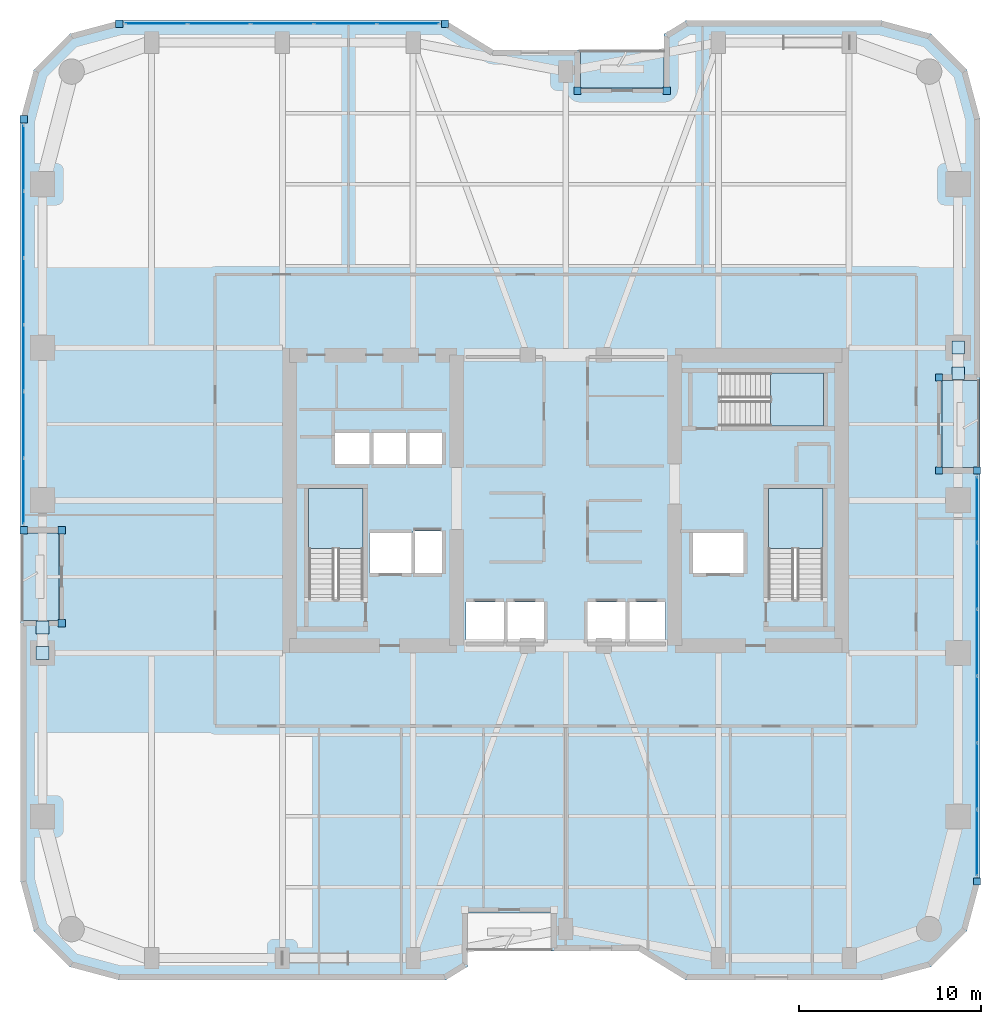
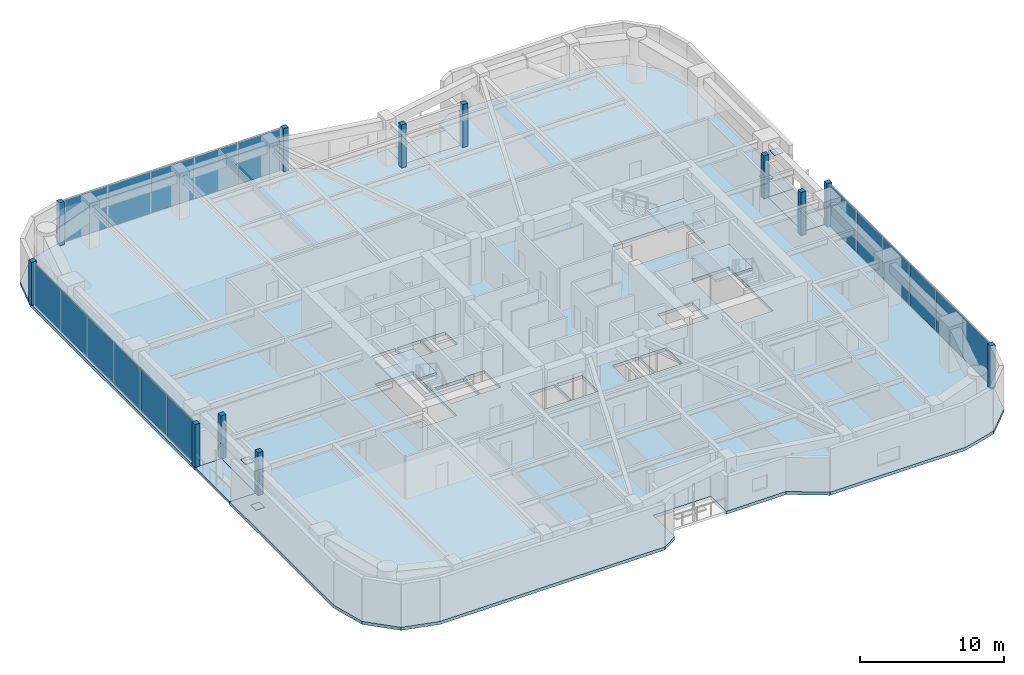
# One storey, part 16 of 24: 33 plates, 7 slabs, 6 elements without a shape of their own.
"""IFC4 building model written with IfcOpenShell, lengths in metres."""

from ifc_helpers import new_model, si_unit, direction, frame, origin, origin_2d, place, context, subcontext, project, spatial, polyline, rectangle, outline, extrude, material, layer, layer_set, type_object, element, aggregate, save


model = new_model("IFC4")

# Units and contexts
model_context = context("Model", 3, precision=1e-05, world=origin(), true_north=direction((0.0, 1.0)))
body_context = subcontext(model_context, "Body", "Model", "MODEL_VIEW")
ifc_project = project(units=[si_unit("LENGTHUNIT", "METRE"), si_unit("AREAUNIT", "SQUARE_METRE"), si_unit("VOLUMEUNIT", "CUBIC_METRE"), si_unit("PLANEANGLEUNIT", "RADIAN"), si_unit("MASSUNIT", "GRAM", prefix="KILO")], contexts=[model_context])

# Site, building, storey
site_placement = place(None, origin())
site = spatial("IfcSite", under=ifc_project, at=site_placement, CompositionType="ELEMENT")
building_placement = place(site_placement, origin())
building = spatial("IfcBuilding", under=site, at=building_placement, Name="Kiyonajd Concourse Tower", CompositionType="ELEMENT")
storey_placement = place(building_placement, frame((0.0, 0.0, 117.0)))
storey = spatial("IfcBuildingStorey", under=building, at=storey_placement, Name="L30", CompositionType="ELEMENT", Elevation=117.0)

# Plates
ifc_material_1 = material(Name="Steel ASTM A572 Grade 50", Category="steel")
ifc_layer_1 = layer(ifc_material_1, 0.028076171875)
ifc_layer_set_1 = layer_set([ifc_layer_1], Name="Steel ASTM A572 Grade 50")
plate_type_1 = type_object("IfcPlateType", Name="PL-CAP-450", PredefinedType="USERDEFINED", material=ifc_layer_set_1)
for number, where, z_axis, x_axis, name in (
    (1, (19.199951171875, 27.59521484375, 0.27587890625), (0.0, 0.0, 1.0), (1.0, 0.0, 0.0), "L30 Hollow Brace End Cap Plate PBW"),
    (2, (19.199951171875, 29.004638671875, 3.2861328125), (0.0, 0.0, 1.0), (1.0, 0.0, 0.0), "L30 Hollow Brace Top Cap Plate PBW"),
    (3, (69.60009765625, 44.40478515625, 0.27587890625), (0.0, 0.0, 1.0), (1.0, 0.0, 0.0), "L30 Hollow Brace End Cap Plate PBE"),
    (4, (69.60009765625, 42.995361328125, 3.2861328125), (0.0, 0.0, 1.0), (1.0, 0.0, 0.0), "L30 Hollow Brace Top Cap Plate PBE"),
):
    element("IfcPlate", number, at=place(storey_placement, frame(where, z_axis=z_axis, x_axis=x_axis)), inside=storey, type_object=plate_type_1, Name=name, ObjectType="CAP PLATE", PredefinedType="USERDEFINED", context=body_context, shape_type="SweptSolid", body=[
        extrude(rectangle(XDim=0.7099609375, YDim=0.7099609375, at=origin_2d()), origin(), (0.0, 0.0, 1.0), 0.028076171875),
    ])

# Curtain wall, plates
ifc_material_2 = material(Name="Thermally Broken Anodised Aluminium", Category="aluminium")
ifc_layer_2 = layer(ifc_material_2, 0.179931640625)
ifc_layer_set_2 = layer_set([ifc_layer_2], Name="Thermally Broken Anodised Aluminium")
curtain_wall_type = type_object("IfcCurtainWallType", Name="CW-SYS-03", PredefinedType="NOTDEFINED", material=ifc_layer_set_2)
curtain_wall_1_placement = place(storey_placement, origin())
curtain_wall_1 = element("IfcCurtainWall", 5, at=curtain_wall_1_placement, inside=storey, type_object=curtain_wall_type, Name="L30 Unitised Curtain Wall CW3", PredefinedType="NOTDEFINED")
ifc_material_3 = material(Name="Double Low-E Insulated Glass", Category="glass")
ifc_layer_3 = layer(ifc_material_3, 0.033935546875)
ifc_layer_set_3 = layer_set([ifc_layer_3], Name="Double Low-E Insulated Glass")
plate_type_2 = type_object("IfcPlateType", Name="PL-CW-VIS34", PredefinedType="CURTAIN_PANEL", material=ifc_layer_set_3)
plate_1_placement = place(storey_placement, frame((18.159912109375, 36.5029296875, 0.06494140625), z_axis=(0.0, 0.0, 1.0), x_axis=(0.0, 1.0, 0.0)))
plate_1 = element("IfcPlate", 6, at=plate_1_placement, type_object=plate_type_2, Name="CW3 panel 1.1", PredefinedType="CURTAIN_PANEL", context=body_context, shape_type="SweptSolid", body=[
    extrude(rectangle(XDim=3.57568359375, YDim=0.033935546875, at=origin_2d()), origin(), (0.0, 0.0, 1.0), 3.510009765625),
])
plate_2_placement = place(storey_placement, frame((18.159912109375, 40.15966796875, 0.06494140625), z_axis=(0.0, 0.0, 1.0), x_axis=(0.0, 1.0, 0.0)))
plate_2 = element("IfcPlate", 7, at=plate_2_placement, type_object=plate_type_2, Name="CW3 panel 2.1", PredefinedType="CURTAIN_PANEL", context=body_context, shape_type="SweptSolid", body=[
    extrude(rectangle(XDim=3.608154296875, YDim=0.033935546875, at=origin_2d()), origin(), (0.0, 0.0, 1.0), 3.510009765625),
])
plate_3_placement = place(storey_placement, frame((18.159912109375, 43.832763671875, 0.06494140625), z_axis=(0.0, 0.0, 1.0), x_axis=(0.0, 1.0, 0.0)))
plate_3 = element("IfcPlate", 8, at=plate_3_placement, type_object=plate_type_2, Name="CW3 panel 3.1", PredefinedType="CURTAIN_PANEL", context=body_context, shape_type="SweptSolid", body=[
    extrude(rectangle(XDim=3.608154296875, YDim=0.033935546875, at=origin_2d()), origin(), (0.0, 0.0, 1.0), 3.510009765625),
])
plate_4_placement = place(storey_placement, frame((18.159912109375, 47.506103515625, 0.06494140625), z_axis=(0.0, 0.0, 1.0), x_axis=(0.0, 1.0, 0.0)))
plate_4 = element("IfcPlate", 9, at=plate_4_placement, type_object=plate_type_2, Name="CW3 panel 4.1", PredefinedType="CURTAIN_PANEL", context=body_context, shape_type="SweptSolid", body=[
    extrude(rectangle(XDim=3.608154296875, YDim=0.033935546875, at=origin_2d()), origin(), (0.0, 0.0, 1.0), 3.510009765625),
])
plate_5_placement = place(storey_placement, frame((18.159912109375, 51.17919921875, 0.06494140625), z_axis=(0.0, 0.0, 1.0), x_axis=(0.0, 1.0, 0.0)))
plate_5 = element("IfcPlate", 10, at=plate_5_placement, type_object=plate_type_2, Name="CW3 panel 5.1", PredefinedType="CURTAIN_PANEL", context=body_context, shape_type="SweptSolid", body=[
    extrude(rectangle(XDim=3.608154296875, YDim=0.033935546875, at=origin_2d()), origin(), (0.0, 0.0, 1.0), 3.510009765625),
])
plate_6_placement = place(storey_placement, frame((18.159912109375, 54.836181640625, 0.06494140625), z_axis=(0.0, 0.0, 1.0), x_axis=(0.0, 1.0, 0.0)))
plate_6 = element("IfcPlate", 11, at=plate_6_placement, type_object=plate_type_2, Name="CW3 panel 6.1", PredefinedType="CURTAIN_PANEL", context=body_context, shape_type="SweptSolid", body=[
    extrude(rectangle(XDim=3.57568359375, YDim=0.033935546875, at=origin_2d()), origin(), (0.0, 0.0, 1.0), 3.510009765625),
])
aggregate(curtain_wall_1, [plate_1, plate_2, plate_3, plate_4, plate_5, plate_6])

curtain_wall_2_placement = place(storey_placement, origin())
curtain_wall_2 = element("IfcCurtainWall", 12, at=curtain_wall_2_placement, inside=storey, type_object=curtain_wall_type, Name="L30 Unitised Curtain Wall CW3", PredefinedType="NOTDEFINED")
plate_7_placement = place(storey_placement, frame((25.462646484375, 62.239990234375, 0.06494140625), z_axis=(0.0, 0.0, 1.0), x_axis=(1.0, 0.0, 0.0)))
plate_7 = element("IfcPlate", 13, at=plate_7_placement, type_object=plate_type_2, Name="CW3 panel 1.1", PredefinedType="CURTAIN_PANEL", context=body_context, shape_type="SweptSolid", body=[
    extrude(rectangle(XDim=3.373291015625, YDim=0.033935546875, at=origin_2d()), origin(), (0.0, 0.0, 1.0), 3.510009765625),
])
plate_8_placement = place(storey_placement, frame((28.917236328125, 62.239990234375, 0.06494140625), z_axis=(0.0, 0.0, 1.0), x_axis=(1.0, 0.0, 0.0)))
plate_8 = element("IfcPlate", 14, at=plate_8_placement, type_object=plate_type_2, Name="CW3 panel 2.1", PredefinedType="CURTAIN_PANEL", context=body_context, shape_type="SweptSolid", body=[
    extrude(rectangle(XDim=3.40576171875, YDim=0.033935546875, at=origin_2d()), origin(), (0.0, 0.0, 1.0), 3.510009765625),
])
plate_9_placement = place(storey_placement, frame((32.387939453125, 62.239990234375, 0.06494140625), z_axis=(0.0, 0.0, 1.0), x_axis=(1.0, 0.0, 0.0)))
plate_9 = element("IfcPlate", 15, at=plate_9_placement, type_object=plate_type_2, Name="CW3 panel 3.1", PredefinedType="CURTAIN_PANEL", context=body_context, shape_type="SweptSolid", body=[
    extrude(rectangle(XDim=3.40576171875, YDim=0.033935546875, at=origin_2d()), origin(), (0.0, 0.0, 1.0), 3.510009765625),
])
plate_10_placement = place(storey_placement, frame((35.858642578125, 62.239990234375, 0.06494140625), z_axis=(0.0, 0.0, 1.0), x_axis=(1.0, 0.0, 0.0)))
plate_10 = element("IfcPlate", 16, at=plate_10_placement, type_object=plate_type_2, Name="CW3 panel 4.1", PredefinedType="CURTAIN_PANEL", context=body_context, shape_type="SweptSolid", body=[
    extrude(rectangle(XDim=3.40576171875, YDim=0.033935546875, at=origin_2d()), origin(), (0.0, 0.0, 1.0), 3.510009765625),
])
plate_11_placement = place(storey_placement, frame((39.31298828125, 62.239990234375, 0.06494140625), z_axis=(0.0, 0.0, 1.0), x_axis=(1.0, 0.0, 0.0)))
plate_11 = element("IfcPlate", 17, at=plate_11_placement, type_object=plate_type_2, Name="CW3 panel 5.1", PredefinedType="CURTAIN_PANEL", context=body_context, shape_type="SweptSolid", body=[
    extrude(rectangle(XDim=3.373291015625, YDim=0.033935546875, at=origin_2d()), origin(), (0.0, 0.0, 1.0), 3.510009765625),
])
aggregate(curtain_wall_2, [plate_7, plate_8, plate_9, plate_10, plate_11])

curtain_wall_3_placement = place(storey_placement, origin())
curtain_wall_3 = element("IfcCurtainWall", 18, at=curtain_wall_3_placement, inside=storey, type_object=curtain_wall_type, Name="L30 Unitised Curtain Wall CW3", PredefinedType="NOTDEFINED")
plate_12_placement = place(storey_placement, frame((70.639892578125, 35.4970703125, 0.06494140625), z_axis=(0.0, 0.0, 1.0), x_axis=(0.0, -1.0, 0.0)))
plate_12 = element("IfcPlate", 19, at=plate_12_placement, type_object=plate_type_2, Name="CW3 panel 1.1", PredefinedType="CURTAIN_PANEL", context=body_context, shape_type="SweptSolid", body=[
    extrude(rectangle(XDim=3.57568359375, YDim=0.033935546875, at=origin_2d()), origin(), (0.0, 0.0, 1.0), 3.510009765625),
])
plate_13_placement = place(storey_placement, frame((70.639892578125, 31.84033203125, 0.06494140625), z_axis=(0.0, 0.0, 1.0), x_axis=(0.0, -1.0, 0.0)))
plate_13 = element("IfcPlate", 20, at=plate_13_placement, type_object=plate_type_2, Name="CW3 panel 2.1", PredefinedType="CURTAIN_PANEL", context=body_context, shape_type="SweptSolid", body=[
    extrude(rectangle(XDim=3.608154296875, YDim=0.033935546875, at=origin_2d()), origin(), (0.0, 0.0, 1.0), 3.510009765625),
])
plate_14_placement = place(storey_placement, frame((70.639892578125, 28.167236328125, 0.06494140625), z_axis=(0.0, 0.0, 1.0), x_axis=(0.0, -1.0, 0.0)))
plate_14 = element("IfcPlate", 21, at=plate_14_placement, type_object=plate_type_2, Name="CW3 panel 3.1", PredefinedType="CURTAIN_PANEL", context=body_context, shape_type="SweptSolid", body=[
    extrude(rectangle(XDim=3.608154296875, YDim=0.033935546875, at=origin_2d()), origin(), (0.0, 0.0, 1.0), 3.510009765625),
])
plate_15_placement = place(storey_placement, frame((70.639892578125, 24.493896484375, 0.06494140625), z_axis=(0.0, 0.0, 1.0), x_axis=(0.0, -1.0, 0.0)))
plate_15 = element("IfcPlate", 22, at=plate_15_placement, type_object=plate_type_2, Name="CW3 panel 4.1", PredefinedType="CURTAIN_PANEL", context=body_context, shape_type="SweptSolid", body=[
    extrude(rectangle(XDim=3.608154296875, YDim=0.033935546875, at=origin_2d()), origin(), (0.0, 0.0, 1.0), 3.510009765625),
])
plate_16_placement = place(storey_placement, frame((70.639892578125, 20.82080078125, 0.06494140625), z_axis=(0.0, 0.0, 1.0), x_axis=(0.0, -1.0, 0.0)))
plate_16 = element("IfcPlate", 23, at=plate_16_placement, type_object=plate_type_2, Name="CW3 panel 5.1", PredefinedType="CURTAIN_PANEL", context=body_context, shape_type="SweptSolid", body=[
    extrude(rectangle(XDim=3.608154296875, YDim=0.033935546875, at=origin_2d()), origin(), (0.0, 0.0, 1.0), 3.510009765625),
])
plate_17_placement = place(storey_placement, frame((70.639892578125, 17.163818359375, 0.06494140625), z_axis=(0.0, 0.0, 1.0), x_axis=(0.0, -1.0, 0.0)))
plate_17 = element("IfcPlate", 24, at=plate_17_placement, type_object=plate_type_2, Name="CW3 panel 6.1", PredefinedType="CURTAIN_PANEL", context=body_context, shape_type="SweptSolid", body=[
    extrude(rectangle(XDim=3.57568359375, YDim=0.033935546875, at=origin_2d()), origin(), (0.0, 0.0, 1.0), 3.510009765625),
])
aggregate(curtain_wall_3, [plate_12, plate_13, plate_14, plate_15, plate_16, plate_17])

# Plates
ifc_layer_4 = layer(ifc_material_2, 0.39990234375)
ifc_layer_set_4 = layer_set([ifc_layer_4], Name="Thermally Broken Anodised Aluminium")
plate_type_3 = type_object("IfcPlateType", Name="PL-JMB-400", PredefinedType="USERDEFINED", material=ifc_layer_set_4)
for number, where, z_axis, x_axis, name in (
    (25, (20.260009765625, 29.239990234375, 0.0), (0.0, 0.0, 1.0), (1.0, 0.0, 0.0), "L30 Facade Jamb Closure Plate 01"),
    (26, (20.260009765625, 34.360107421875, 0.0), (0.0, 0.0, 1.0), (1.0, 0.0, 0.0), "L30 Facade Jamb Closure Plate 02"),
    (27, (18.159912109375, 34.360107421875, 0.0), (0.0, 0.0, 1.0), (1.0, 0.0, 0.0), "L30 Facade Jamb Closure Plate 03"),
    (28, (18.159912109375, 56.97900390625, 0.0), (0.0, 0.0, 1.0), (1.0, 0.0, 0.0), "L30 Facade Jamb Closure Plate 04"),
    (29, (23.421142578125, 62.239990234375, 0.0), (0.0, 0.0, 1.0), (1.0, 0.0, 0.0), "L30 Facade Jamb Closure Plate 05"),
    (30, (41.354736328125, 62.239990234375, 0.0), (0.0, 0.0, 1.0), (1.0, 0.0, 0.0), "L30 Facade Jamb Closure Plate 06"),
    (31, (48.639892578125, 58.5400390625, 0.0), (0.0, 0.0, 1.0), (1.0, 0.0, 0.0), "L30 Facade Jamb Closure Plate 07"),
    (32, (53.56005859375, 58.5400390625, 0.0), (0.0, 0.0, 1.0), (1.0, 0.0, 0.0), "L30 Facade Jamb Closure Plate 08"),
    (33, (68.5400390625, 42.760009765625, 0.0), (0.0, 0.0, 1.0), (1.0, 0.0, 0.0), "L30 Facade Jamb Closure Plate 09"),
    (34, (68.5400390625, 37.639892578125, 0.0), (0.0, 0.0, 1.0), (1.0, 0.0, 0.0), "L30 Facade Jamb Closure Plate 10"),
    (35, (70.639892578125, 37.639892578125, 0.0), (0.0, 0.0, 1.0), (1.0, 0.0, 0.0), "L30 Facade Jamb Closure Plate 11"),
    (36, (70.639892578125, 15.02099609375, 0.0), (0.0, 0.0, 1.0), (1.0, 0.0, 0.0), "L30 Facade Jamb Closure Plate 12"),
):
    element("IfcPlate", number, at=place(storey_placement, frame(where, z_axis=z_axis, x_axis=x_axis)), inside=storey, type_object=plate_type_3, Name=name, ObjectType="JAMB PLATE", PredefinedType="USERDEFINED", context=body_context, shape_type="SweptSolid", body=[
        extrude(rectangle(XDim=0.39990234375, YDim=0.39990234375, at=origin_2d()), origin(), (0.0, 0.0, 1.0), 3.639892578125),
    ])

# Stair, slab
ifc_material_4 = material(Name="Concrete C40/50", Category="concrete")
stair_type = type_object("IfcStairType", Name="ST-DLG-22R", PredefinedType="HALF_TURN_STAIR", material=ifc_material_4)
stair_1_placement = place(storey_placement, origin())
stair_1 = element("IfcStair", 37, at=stair_1_placement, inside=storey, type_object=stair_type, Name="L30 Protected Exit Stair ST1", PredefinedType="HALF_TURN_STAIR")
ifc_layer_5 = layer(ifc_material_4, 0.199951171875)
ifc_layer_set_5 = layer_set([ifc_layer_5], Name="Concrete C40/50")
slab_type_1 = type_object("IfcSlabType", Name="SL-LND-200", PredefinedType="LANDING", material=ifc_layer_set_5)
slab_1_placement = place(storey_placement, frame((0.0, 0.0, 1.75)))
slab_1 = element("IfcSlab", 38, at=slab_1_placement, type_object=slab_type_1, Name="ST1 landing 1", PredefinedType="LANDING", context=body_context, shape_type="SweptSolid", body=[
    extrude(outline(polyline([(36.85009765625, 33.35009765625), (36.85009765625, 36.64990234375), (33.85009765625, 36.64990234375), (33.85009765625, 33.35009765625), (36.85009765625, 33.35009765625)])), origin(), (0.0, 0.0, 1.0), 0.199951171875),
])
aggregate(stair_1, [slab_1])

stair_2_placement = place(storey_placement, origin())
stair_2 = element("IfcStair", 39, at=stair_2_placement, inside=storey, type_object=stair_type, Name="L30 Protected Exit Stair ST2", PredefinedType="HALF_TURN_STAIR")
slab_2_placement = place(storey_placement, frame((0.0, 0.0, 1.75)))
slab_2 = element("IfcSlab", 40, at=slab_2_placement, type_object=slab_type_1, Name="ST2 landing 1", PredefinedType="LANDING", context=body_context, shape_type="SweptSolid", body=[
    extrude(outline(polyline([(62.14990234375, 33.35009765625), (62.14990234375, 36.64990234375), (59.14990234375, 36.64990234375), (59.14990234375, 33.35009765625), (62.14990234375, 33.35009765625)])), origin(), (0.0, 0.0, 1.0), 0.199951171875),
])
aggregate(stair_2, [slab_2])

stair_3_placement = place(storey_placement, origin())
stair_3 = element("IfcStair", 41, at=stair_3_placement, inside=storey, type_object=stair_type, Name="L30 Protected Exit Stair ST3", PredefinedType="HALF_TURN_STAIR")
slab_3_placement = place(storey_placement, frame((0.0, 0.0, 1.75)))
slab_3 = element("IfcSlab", 42, at=slab_3_placement, type_object=slab_type_1, Name="ST3 landing 1", PredefinedType="LANDING", context=body_context, shape_type="SweptSolid", body=[
    extrude(outline(polyline([(59.280029296875, 40.080078125), (62.179931640625, 40.080078125), (62.179931640625, 43.02001953125), (59.280029296875, 43.02001953125), (59.280029296875, 40.080078125)])), origin(), (0.0, 0.0, 1.0), 0.199951171875),
])
aggregate(stair_3, [slab_3])

# Slabs
ifc_material_5 = material(Name="Precast concrete C50/60", Category="concrete")
ifc_layer_6 = layer(ifc_material_5, 0.199951171875)
ifc_layer_set_6 = layer_set([ifc_layer_6], Name="Precast concrete C50/60")
slab_type_2 = type_object("IfcSlabType", Name="SL-LOG-200", PredefinedType="FLOOR", material=ifc_layer_set_6)
slab_4_placement = place(storey_placement, frame((0.0, 0.0, -0.199951171875)))
element("IfcSlab", 43, at=slab_4_placement, inside=storey, type_object=slab_type_2, Name="L30 Recessed Engawa Loggia Terrace Slab LOG-N", PredefinedType="FLOOR", context=body_context, shape_type="SweptSolid", body=[
    extrude(outline(polyline([(48.800048828125, 58.699951171875), (53.39990234375, 58.699951171875), (53.39990234375, 60.800048828125), (48.800048828125, 60.800048828125), (48.800048828125, 58.699951171875)])), origin(), (0.0, 0.0, 1.0), 0.199951171875),
])
slab_5_placement = place(storey_placement, frame((0.0, 0.0, -0.199951171875)))
element("IfcSlab", 44, at=slab_5_placement, inside=storey, type_object=slab_type_2, Name="L30 Recessed Engawa Loggia Terrace Slab LOG-W", PredefinedType="FLOOR", context=body_context, shape_type="SweptSolid", body=[
    extrude(outline(polyline([(18.0, 29.39990234375), (20.10009765625, 29.39990234375), (20.10009765625, 34.199951171875), (18.0, 34.199951171875), (18.0, 29.39990234375)])), origin(), (0.0, 0.0, 1.0), 0.199951171875),
])
slab_6_placement = place(storey_placement, frame((0.0, 0.0, -0.199951171875)))
element("IfcSlab", 45, at=slab_6_placement, inside=storey, type_object=slab_type_2, Name="L30 Recessed Engawa Loggia Terrace Slab LOG-E", PredefinedType="FLOOR", context=body_context, shape_type="SweptSolid", body=[
    extrude(outline(polyline([(68.699951171875, 37.800048828125), (70.800048828125, 37.800048828125), (70.800048828125, 42.60009765625), (68.699951171875, 42.60009765625), (68.699951171875, 37.800048828125)])), origin(), (0.0, 0.0, 1.0), 0.199951171875),
])
ifc_layer_7 = layer(ifc_material_4, 0.260009765625)
ifc_layer_set_7 = layer_set([ifc_layer_7], Name="Concrete C40/50")
slab_type_3 = type_object("IfcSlabType", Name="SL-TWR-260", PredefinedType="FLOOR", material=ifc_layer_set_7)
slab_7_placement = place(storey_placement, frame((0.0, 0.0, -0.260009765625)))
element("IfcSlab", 46, at=slab_7_placement, inside=storey, type_object=slab_type_3, Name="L30 Tower Conditioned Floor Slab", PredefinedType="FLOOR", context=body_context, shape_type="SweptSolid", body=[
    extrude(outline(polyline([(18.722900390625, 12.300048828125), (18.0, 15.0), (18.0, 29.39990234375), (20.10009765625, 29.39990234375), (20.10009765625, 34.199951171875), (18.0, 34.199951171875), (18.0, 57.0), (18.722900390625, 59.699951171875), (20.699951171875, 61.677001953125), (23.39990234375, 62.39990234375), (41.39990234375, 62.39990234375), (44.0, 60.800048828125), (48.800048828125, 60.800048828125), (48.800048828125, 58.699951171875), (53.39990234375, 58.699951171875), (53.39990234375, 61.662109375), (54.60009765625, 62.39990234375), (65.39990234375, 62.39990234375), (68.10009765625, 61.677001953125), (70.076904296875, 59.699951171875), (70.800048828125, 57.0), (70.800048828125, 42.60009765625), (68.699951171875, 42.60009765625), (68.699951171875, 37.800048828125), (70.800048828125, 37.800048828125), (70.800048828125, 15.0), (70.076904296875, 12.300048828125), (68.10009765625, 10.322998046875), (65.39990234375, 9.60009765625), (54.60009765625, 9.60009765625), (52.0, 11.199951171875), (47.199951171875, 11.199951171875), (47.199951171875, 13.300048828125), (42.60009765625, 13.300048828125), (42.60009765625, 10.337890625), (41.39990234375, 9.60009765625), (23.39990234375, 9.60009765625), (20.699951171875, 10.322998046875), (18.722900390625, 12.300048828125)]), holes=[polyline([(44.60009765625, 28.199951171875), (42.5, 28.199951171875), (42.5, 30.39990234375), (44.60009765625, 30.39990234375), (44.60009765625, 28.199951171875)]), polyline([(37.199951171875, 32.0), (37.199951171875, 34.199951171875), (39.5, 34.199951171875), (39.5, 32.0), (37.199951171875, 32.0)]), polyline([(39.60009765625, 32.0), (39.60009765625, 34.300048828125), (41.199951171875, 34.300048828125), (41.199951171875, 32.0), (39.60009765625, 32.0)]), polyline([(36.85009765625, 30.550048828125), (33.85009765625, 30.550048828125), (33.85009765625, 36.64990234375), (36.85009765625, 36.64990234375), (36.85009765625, 30.550048828125)]), polyline([(35.300048828125, 38.0), (35.300048828125, 39.699951171875), (37.199951171875, 39.699951171875), (37.199951171875, 38.0), (35.300048828125, 38.0)]), polyline([(37.300048828125, 38.0), (37.300048828125, 39.699951171875), (39.199951171875, 39.699951171875), (39.199951171875, 38.0), (37.300048828125, 38.0)]), polyline([(41.199951171875, 38.0), (39.300048828125, 38.0), (39.300048828125, 39.699951171875), (41.199951171875, 39.699951171875), (41.199951171875, 38.0)]), polyline([(44.699951171875, 28.199951171875), (44.699951171875, 30.39990234375), (46.800048828125, 30.39990234375), (46.800048828125, 28.199951171875), (44.699951171875, 28.199951171875)]), polyline([(49.199951171875, 28.199951171875), (49.199951171875, 30.39990234375), (51.300048828125, 30.39990234375), (51.300048828125, 28.199951171875), (49.199951171875, 28.199951171875)]), polyline([(51.39990234375, 28.199951171875), (51.39990234375, 30.39990234375), (53.5, 30.39990234375), (53.5, 28.199951171875), (51.39990234375, 28.199951171875)]), polyline([(55.0, 32.0), (55.0, 34.199951171875), (57.800048828125, 34.199951171875), (57.800048828125, 32.0), (55.0, 32.0)]), polyline([(59.14990234375, 30.550048828125), (59.14990234375, 36.64990234375), (62.14990234375, 36.64990234375), (62.14990234375, 30.550048828125), (59.14990234375, 30.550048828125)]), polyline([(56.47998046875, 43.02001953125), (62.179931640625, 43.02001953125), (62.179931640625, 40.080078125), (56.47998046875, 40.080078125), (56.47998046875, 43.02001953125)])]), origin(), (0.0, 0.0, 1.0), 0.260009765625),
])

save(model, "model.ifc")
